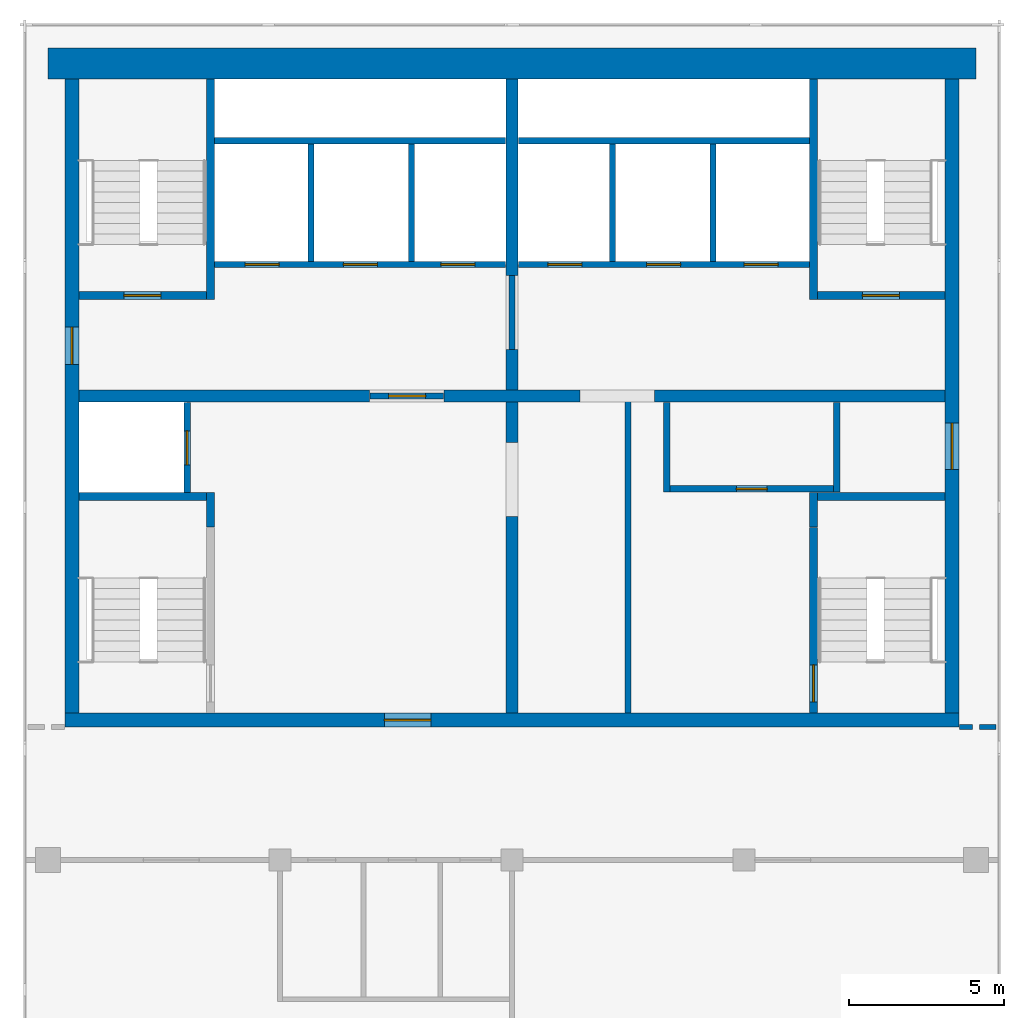
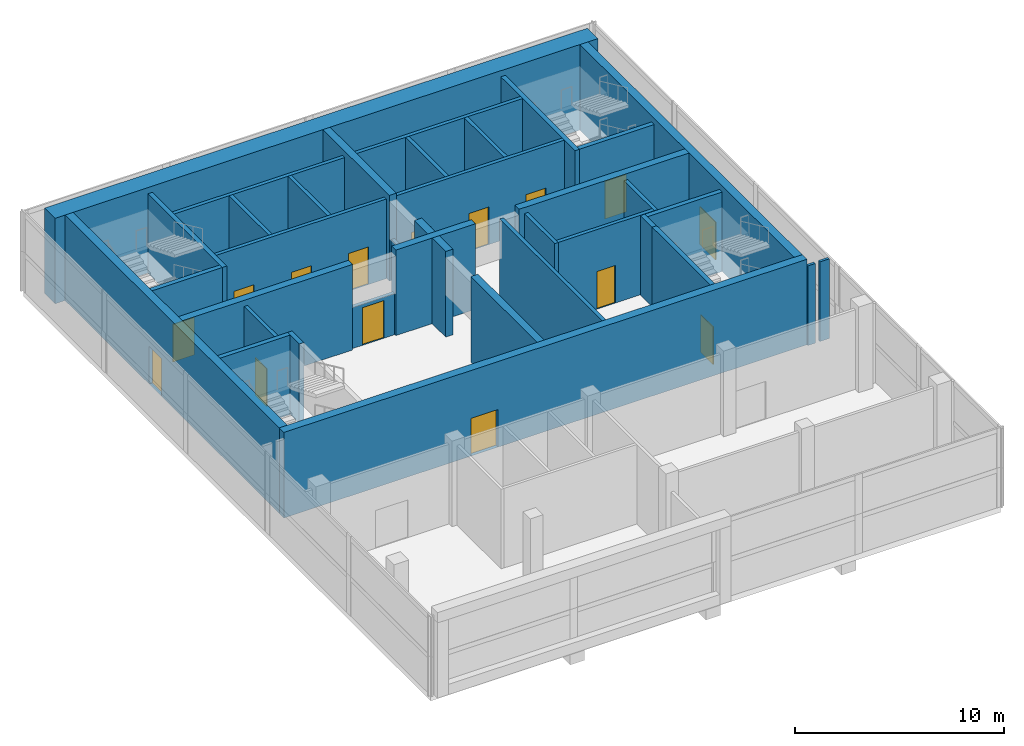
# One storey, part 4 of 6: 37 walls, 15 doors, 15 openings.
"""IFC4 building model written with IfcOpenShell, lengths in metres."""

from ifc_helpers import new_model, si_unit, direction, frame, frame_2d, origin, place, context, subcontext, project, spatial, rectangle, extrude, material, layer, layer_set, type_object, element, fill, save


model = new_model("IFC4")

# Units and contexts
model_context = context("Model", 3, precision=1e-05, world=origin(), true_north=direction((0.0, 1.0)))
body_context = subcontext(model_context, "Body", "Model", "MODEL_VIEW")
ifc_project = project(units=[si_unit("LENGTHUNIT", "METRE"), si_unit("AREAUNIT", "SQUARE_METRE"), si_unit("VOLUMEUNIT", "CUBIC_METRE"), si_unit("PLANEANGLEUNIT", "RADIAN"), si_unit("MASSUNIT", "GRAM", prefix="KILO")], contexts=[model_context])

# Site, building, storey
site_placement = place(None, origin())
site = spatial("IfcSite", under=ifc_project, at=site_placement, CompositionType="ELEMENT")
building_placement = place(site_placement, origin())
building = spatial("IfcBuilding", under=site, at=building_placement, Name="Pilkhan Gate Tower", CompositionType="ELEMENT")
storey_placement = place(building_placement, frame((0.0, 0.0, 287.699951171875)))
storey = spatial("IfcBuildingStorey", under=building, at=storey_placement, Name="L75", CompositionType="ELEMENT", Elevation=287.699951171875)

# Wall
ifc_material_1 = material(Name="Concrete C50/60", Category="concrete")
ifc_layer_1 = layer(ifc_material_1, 1.0)
ifc_layer_set_1 = layer_set([ifc_layer_1], Name="Core wall CW1000 C50/60")
wall_type_1 = type_object("IfcWallType", Name="Core wall CW1000 C50/60", PredefinedType="SHEAR", material=ifc_layer_set_1)
wall_1_placement = place(storey_placement, frame((90.0, 93.25, 0.0), z_axis=(0.0, 0.0, 1.0), x_axis=(-1.0, 0.0, 0.0)))
element("IfcWall", 1, at=wall_1_placement, inside=storey, type_object=wall_type_1, Name="Core wall N L75", PredefinedType="SHEAR", context=body_context, shape_type="SweptSolid", body=[
    extrude(rectangle(XDim=30.0, YDim=1.0, at=frame_2d((15.0, 0.0))), origin(), (0.0, 0.0, 1.0), 5.0),
])

# Wall, opening, door
ifc_layer_2 = layer(ifc_material_1, 0.449951171875)
ifc_layer_set_2 = layer_set([ifc_layer_2], Name="Core wall CW450 C50/60")
wall_type_2 = type_object("IfcWallType", Name="Core wall CW450 C50/60", PredefinedType="SHEAR", material=ifc_layer_set_2)
wall_2_placement = place(storey_placement, frame((60.550048828125, 72.02490234375, 0.0), z_axis=(0.0, 0.0, 1.0), x_axis=(1.0, 0.0, 0.0)))
wall_2 = element("IfcWall", 2, at=wall_2_placement, inside=storey, type_object=wall_type_2, Name="Core wall S L75", PredefinedType="SHEAR", context=body_context, shape_type="SweptSolid", body=[
    extrude(rectangle(XDim=28.89990234375, YDim=0.449951171875, at=frame_2d((14.449951171875, 0.0))), origin(), (0.0, 0.0, 1.0), 5.0),
])
opening_1_placement = place(wall_2_placement, frame((10.324951171875, 0.0, 0.0)))
opening_1 = element("IfcOpeningElement", 3, at=opening_1_placement, cuts=wall_2, Name="Opening L75-08", PredefinedType="OPENING", context=body_context, shape_type="SweptSolid", body=[
    extrude(rectangle(XDim=1.5, YDim=2.199951171875, at=frame_2d((0.75, 1.10009765625))), frame((0.0, 0.23486328125, 0.0), z_axis=(0.0, -1.0, 0.0), x_axis=(1.0, 0.0, 0.0)), (0.0, 0.0, 1.0), 0.469970703125),
])
ifc_material_2 = material(Name="Steel framed glazed door, 60 minute fire resisting", Category="steel")
door_type_1 = type_object("IfcDoorType", Name="Lobby door D09 1500x2200", OperationType="DOUBLE_DOOR_SINGLE_SWING", PredefinedType="DOOR", material=ifc_material_2)
door_1_placement = place(opening_1_placement, origin())
door_1 = element("IfcDoor", 4, at=door_1_placement, inside=storey, type_object=door_type_1, Name="Core door", OperationType="DOUBLE_DOOR_SINGLE_SWING", OverallHeight=2.199951171875, OverallWidth=1.5, PredefinedType="DOOR", context=body_context, shape_type="SweptSolid", body=[
    extrude(rectangle(XDim=1.5, YDim=2.199951171875, at=frame_2d((0.75, 1.10009765625))), frame((0.0, 0.02490234375, 0.0), z_axis=(0.0, -1.0, 0.0), x_axis=(1.0, 0.0, 0.0)), (0.0, 0.0, 1.0), 0.050048828125),
])
fill(opening_1, door_1)

wall_3_placement = place(storey_placement, frame((89.22509765625, 72.25, 0.0), z_axis=(0.0, 0.0, 1.0), x_axis=(0.0, 1.0, 0.0)))
wall_3 = element("IfcWall", 5, at=wall_3_placement, inside=storey, type_object=wall_type_2, Name="Core wall E L75", PredefinedType="SHEAR", context=body_context, shape_type="SweptSolid", body=[
    extrude(rectangle(XDim=20.5, YDim=0.449951171875, at=frame_2d((10.25, 0.0))), origin(), (0.0, 0.0, 1.0), 5.0),
])
opening_2_placement = place(wall_3_placement, frame((7.875, 0.0, 0.0)))
opening_2 = element("IfcOpeningElement", 6, at=opening_2_placement, cuts=wall_3, Name="Opening L75-09", PredefinedType="OPENING", context=body_context, shape_type="SweptSolid", body=[
    extrude(rectangle(XDim=1.5, YDim=2.199951171875, at=frame_2d((0.75, 1.10009765625))), frame((0.0, 0.23486328125, 0.0), z_axis=(0.0, -1.0, 0.0), x_axis=(1.0, 0.0, 0.0)), (0.0, 0.0, 1.0), 0.469970703125),
])
door_2_placement = place(opening_2_placement, origin())
door_2 = element("IfcDoor", 7, at=door_2_placement, inside=storey, type_object=door_type_1, Name="Core door", OperationType="DOUBLE_DOOR_SINGLE_SWING", OverallHeight=2.199951171875, OverallWidth=1.5, PredefinedType="DOOR", context=body_context, shape_type="SweptSolid", body=[
    extrude(rectangle(XDim=1.5, YDim=2.199951171875, at=frame_2d((0.75, 1.10009765625))), frame((0.0, 0.02490234375, 0.0), z_axis=(0.0, -1.0, 0.0), x_axis=(1.0, 0.0, 0.0)), (0.0, 0.0, 1.0), 0.050048828125),
])
fill(opening_2, door_2)

wall_4_placement = place(storey_placement, frame((60.77490234375, 92.75, 0.0), z_axis=(0.0, 0.0, 1.0), x_axis=(0.0, -1.0, 0.0)))
wall_4 = element("IfcWall", 8, at=wall_4_placement, inside=storey, type_object=wall_type_2, Name="Core wall W L75", PredefinedType="SHEAR", context=body_context, shape_type="SweptSolid", body=[
    extrude(rectangle(XDim=20.5, YDim=0.449951171875, at=frame_2d((10.25, 0.0))), origin(), (0.0, 0.0, 1.0), 5.0),
])
opening_3_placement = place(wall_4_placement, frame((8.02490234375, 0.0, 0.0)))
opening_3 = element("IfcOpeningElement", 9, at=opening_3_placement, cuts=wall_4, Name="Opening L75-11", PredefinedType="OPENING", context=body_context, shape_type="SweptSolid", body=[
    extrude(rectangle(XDim=1.199951171875, YDim=2.199951171875, at=frame_2d((0.60009765625, 1.10009765625))), frame((0.0, 0.23486328125, 0.0), z_axis=(0.0, -1.0, 0.0), x_axis=(1.0, 0.0, 0.0)), (0.0, 0.0, 1.0), 0.469970703125),
])
ifc_material_3 = material(Name="Steel door, 120 minute fire resisting, self-closing", Category="steel")
door_type_2 = type_object("IfcDoorType", Name="Firefighting lobby door D10 1200x2200", OperationType="SINGLE_SWING_LEFT", PredefinedType="DOOR", material=ifc_material_3)
door_3_placement = place(opening_3_placement, origin())
door_3 = element("IfcDoor", 10, at=door_3_placement, inside=storey, type_object=door_type_2, Name="Core door", OperationType="SINGLE_SWING_LEFT", OverallHeight=2.199951171875, OverallWidth=1.199951171875, PredefinedType="DOOR", context=body_context, shape_type="SweptSolid", body=[
    extrude(rectangle(XDim=1.199951171875, YDim=2.199951171875, at=frame_2d((0.60009765625, 1.10009765625))), frame((0.0, 0.02490234375, 0.0), z_axis=(0.0, -1.0, 0.0), x_axis=(1.0, 0.0, 0.0)), (0.0, 0.0, 1.0), 0.050048828125),
])
fill(opening_3, door_3)

ifc_material_4 = material(Name="Dense blockwork", Category="masonry")
ifc_layer_3 = layer(ifc_material_4, 0.199951171875)
ifc_layer_set_3 = layer_set([ifc_layer_3], Name="Lobby wall LW200")
wall_type_3 = type_object("IfcWallType", Name="Lobby wall LW200", PredefinedType="PARTITIONING", material=ifc_layer_set_3)
wall_5_placement = place(storey_placement, frame((80.10009765625, 79.5, 0.0), z_axis=(0.0, 0.0, 1.0), x_axis=(1.0, 0.0, 0.0)))
wall_5 = element("IfcWall", 11, at=wall_5_placement, inside=storey, type_object=wall_type_3, Name="Partition L75", PredefinedType="PARTITIONING", context=body_context, shape_type="SweptSolid", body=[
    extrude(rectangle(XDim=5.2998046875, YDim=0.199951171875, at=frame_2d((2.64990234375, 0.0))), origin(), (0.0, 0.0, 1.0), 4.650146484375),
])
opening_4_placement = place(wall_5_placement, frame((2.14990234375, 0.0, 0.0)))
opening_4 = element("IfcOpeningElement", 12, at=opening_4_placement, cuts=wall_5, Name="Opening L75-10", PredefinedType="OPENING", context=body_context, shape_type="SweptSolid", body=[
    extrude(rectangle(XDim=1.0, YDim=2.199951171875, at=frame_2d((0.5, 1.10009765625))), frame((0.0, 0.10986328125, 0.0), z_axis=(0.0, -1.0, 0.0), x_axis=(1.0, 0.0, 0.0)), (0.0, 0.0, 1.0), 0.219970703125),
])
ifc_material_5 = material(Name="Timber flush door, 30 minute fire resisting", Category="wood")
door_type_3 = type_object("IfcDoorType", Name="Room door D03 1000x2200", OperationType="SINGLE_SWING_LEFT", PredefinedType="DOOR", material=ifc_material_5)
door_4_placement = place(opening_4_placement, origin())
door_4 = element("IfcDoor", 13, at=door_4_placement, inside=storey, type_object=door_type_3, Name="Room door", OperationType="SINGLE_SWING_RIGHT", OverallHeight=2.199951171875, OverallWidth=1.0, PredefinedType="DOOR", context=body_context, shape_type="SweptSolid", body=[
    extrude(rectangle(XDim=1.0, YDim=2.199951171875, at=frame_2d((0.5, 1.10009765625))), frame((0.0, 0.02490234375, 0.0), z_axis=(0.0, -1.0, 0.0), x_axis=(1.0, 0.0, 0.0)), (0.0, 0.0, 1.0), 0.050048828125),
])
fill(opening_4, door_4)

wall_6_placement = place(storey_placement, frame((70.409912109375, 82.5, 0.0), z_axis=(0.0, 0.0, 1.0), x_axis=(1.0, 0.0, 0.0)))
wall_6 = element("IfcWall", 14, at=wall_6_placement, inside=storey, type_object=wall_type_3, Name="Partition L75", PredefinedType="PARTITIONING", context=body_context, shape_type="SweptSolid", body=[
    extrude(rectangle(XDim=2.380126953125, YDim=0.199951171875, at=frame_2d((1.18994140625, 0.0))), origin(), (0.0, 0.0, 1.0), 2.400146484375),
])
opening_5_placement = place(wall_6_placement, frame((0.60009765625, 0.0, 0.0)))
opening_5 = element("IfcOpeningElement", 15, at=opening_5_placement, cuts=wall_6, Name="Opening L75-01", PredefinedType="OPENING", context=body_context, shape_type="SweptSolid", body=[
    extrude(rectangle(XDim=1.199951171875, YDim=2.199951171875, at=frame_2d((0.60009765625, 1.10009765625))), frame((0.0, 0.10986328125, 0.0), z_axis=(0.0, -1.0, 0.0), x_axis=(1.0, 0.0, 0.0)), (0.0, 0.0, 1.0), 0.219970703125),
])
door_5_placement = place(opening_5_placement, origin())
door_5 = element("IfcDoor", 16, at=door_5_placement, inside=storey, type_object=door_type_2, Name="Firefighting lobby door", OperationType="SINGLE_SWING_RIGHT", OverallHeight=2.199951171875, OverallWidth=1.199951171875, PredefinedType="DOOR", context=body_context, shape_type="SweptSolid", body=[
    extrude(rectangle(XDim=1.199951171875, YDim=2.199951171875, at=frame_2d((0.60009765625, 1.10009765625))), frame((0.0, 0.02490234375, 0.0), z_axis=(0.0, -1.0, 0.0), x_axis=(1.0, 0.0, 0.0)), (0.0, 0.0, 1.0), 0.050048828125),
])
fill(opening_5, door_5)

# Walls
wall_7_placement = place(storey_placement, frame((75.0, 84.010009765625, 0.0), z_axis=(0.0, 0.0, 1.0), x_axis=(0.0, 1.0, 0.0)))
element("IfcWall", 17, at=wall_7_placement, inside=storey, type_object=wall_type_3, Name="Partition L75", PredefinedType="PARTITIONING", context=body_context, shape_type="SweptSolid", body=[
    extrude(rectangle(XDim=2.3798828125, YDim=0.199951171875, at=frame_2d((1.18994140625, 0.0))), origin(), (0.0, 0.0, 1.0), 2.400146484375),
])
wall_8_placement = place(storey_placement, frame((78.75, 72.260009765625, 0.0), z_axis=(0.0, 0.0, 1.0), x_axis=(0.0, 1.0, 0.0)))
element("IfcWall", 18, at=wall_8_placement, inside=storey, type_object=wall_type_3, Name="Partition L75", PredefinedType="PARTITIONING", context=body_context, shape_type="SweptSolid", body=[
    extrude(rectangle(XDim=10.239990234375, YDim=0.199951171875, at=frame_2d((5.1201171875, 0.0))), origin(), (0.0, 0.0, 1.0), 4.650146484375),
])
for number, where, z_axis, x_axis, name in (
    (19, (80.0, 79.39990234375, 0.0), (0.0, 0.0, 1.0), (0.0, 1.0, 0.0), "Partition L75"),
    (20, (85.5, 79.39990234375, 0.0), (0.0, 0.0, 1.0), (0.0, 1.0, 0.0), "Partition L75"),
):
    element("IfcWall", number, at=place(storey_placement, frame(where, z_axis=z_axis, x_axis=x_axis)), inside=storey, type_object=wall_type_3, Name=name, PredefinedType="PARTITIONING", context=body_context, shape_type="SweptSolid", body=[
        extrude(rectangle(XDim=2.89013671875, YDim=0.199951171875, at=frame_2d((1.445068359375, 0.0))), origin(), (0.0, 0.0, 1.0), 4.650146484375),
    ])
ifc_material_6 = material(Name="Blockwork partition, plastered both sides", Category="masonry")
ifc_layer_4 = layer(ifc_material_6, 0.14990234375)
ifc_layer_set_4 = layer_set([ifc_layer_4], Name="Partition PW150")
wall_type_4 = type_object("IfcWallType", Name="Partition PW150", PredefinedType="PARTITIONING", material=ifc_layer_set_4)
wall_9_placement = place(storey_placement, frame((89.4599609375, 71.800048828125, 0.0), z_axis=(0.0, 0.0, 1.0), x_axis=(1.0, 0.0, 0.0)))
element("IfcWall", 21, at=wall_9_placement, inside=storey, type_object=wall_type_4, Name="Partition L75", PredefinedType="PARTITIONING", context=body_context, shape_type="SweptSolid", body=[
    extrude(rectangle(XDim=0.419921875, YDim=0.14990234375, at=frame_2d((0.2099609375, 0.0))), origin(), (0.0, 0.0, 1.0), 4.650146484375),
])
wall_10_placement = place(storey_placement, frame((90.1201171875, 71.800048828125, 0.0), z_axis=(0.0, 0.0, 1.0), x_axis=(1.0, 0.0, 0.0)))
element("IfcWall", 22, at=wall_10_placement, inside=storey, type_object=wall_type_4, Name="Partition L75", PredefinedType="PARTITIONING", context=body_context, shape_type="SweptSolid", body=[
    extrude(rectangle(XDim=0.52490234375, YDim=0.14990234375, at=frame_2d((0.262451171875, 0.0))), origin(), (0.0, 0.0, 1.0), 4.650146484375),
])

# Wall, openings, doors
ifc_material_7 = material(Name="Reinforced blockwork shaft wall, 120 minute fire resisting", Category="masonry")
ifc_layer_5 = layer(ifc_material_7, 0.199951171875)
ifc_layer_set_5 = layer_set([ifc_layer_5], Name="Shaft wall SW200")
wall_type_5 = type_object("IfcWallType", Name="Shaft wall SW200", PredefinedType="PARTITIONING", material=ifc_layer_set_5)
wall_11_placement = place(storey_placement, frame((65.375, 86.75, 0.0), z_axis=(0.0, 0.0, 1.0), x_axis=(1.0, 0.0, 0.0)))
wall_11 = element("IfcWall", 23, at=wall_11_placement, inside=storey, type_object=wall_type_5, Name="Partition L75", PredefinedType="PARTITIONING", context=body_context, shape_type="SweptSolid", body=[
    extrude(rectangle(XDim=9.4150390625, YDim=0.199951171875, at=frame_2d((4.70751953125, 0.0))), origin(), (0.0, 0.0, 1.0), 4.650146484375),
])
opening_6_placement = place(wall_11_placement, frame((1.0, 0.0, 0.0)))
opening_6 = element("IfcOpeningElement", 24, at=opening_6_placement, cuts=wall_11, Name="Opening LD", PredefinedType="OPENING", context=body_context, shape_type="SweptSolid", body=[
    extrude(rectangle(XDim=1.10009765625, YDim=2.199951171875, at=frame_2d((0.550048828125, 1.10009765625))), frame((0.0, 0.10986328125, 0.0), z_axis=(0.0, -1.0, 0.0), x_axis=(1.0, 0.0, 0.0)), (0.0, 0.0, 1.0), 0.219970703125),
])
opening_7_placement = place(wall_11_placement, frame((4.175048828125, 0.0, 0.0)))
opening_7 = element("IfcOpeningElement", 25, at=opening_7_placement, cuts=wall_11, Name="Opening LD", PredefinedType="OPENING", context=body_context, shape_type="SweptSolid", body=[
    extrude(rectangle(XDim=1.10009765625, YDim=2.199951171875, at=frame_2d((0.550048828125, 1.10009765625))), frame((0.0, 0.10986328125, 0.0), z_axis=(0.0, -1.0, 0.0), x_axis=(1.0, 0.0, 0.0)), (0.0, 0.0, 1.0), 0.219970703125),
])
opening_8_placement = place(wall_11_placement, frame((7.324951171875, 0.0, 0.0)))
opening_8 = element("IfcOpeningElement", 26, at=opening_8_placement, cuts=wall_11, Name="Opening LD", PredefinedType="OPENING", context=body_context, shape_type="SweptSolid", body=[
    extrude(rectangle(XDim=1.10009765625, YDim=2.199951171875, at=frame_2d((0.550048828125, 1.10009765625))), frame((0.0, 0.10986328125, 0.0), z_axis=(0.0, -1.0, 0.0), x_axis=(1.0, 0.0, 0.0)), (0.0, 0.0, 1.0), 0.219970703125),
])
ifc_material_8 = material(Name="Stainless steel centre-opening landing door, 120 minute fire resisting", Category="steel")
door_type_4 = type_object("IfcDoorType", Name="Lift landing door LD 1100x2200", OperationType="DOUBLE_DOOR_SLIDING", PredefinedType="DOOR", material=ifc_material_8)
door_6_placement = place(opening_6_placement, origin())
door_6 = element("IfcDoor", 27, at=door_6_placement, inside=storey, type_object=door_type_4, Name="Landing door FF1", OperationType="DOUBLE_DOOR_SLIDING", OverallHeight=2.199951171875, OverallWidth=1.10009765625, PredefinedType="DOOR", context=body_context, shape_type="SweptSolid", body=[
    extrude(rectangle(XDim=1.10009765625, YDim=2.199951171875, at=frame_2d((0.550048828125, 1.10009765625))), frame((0.0, 0.02490234375, 0.0), z_axis=(0.0, -1.0, 0.0), x_axis=(1.0, 0.0, 0.0)), (0.0, 0.0, 1.0), 0.050048828125),
])
fill(opening_6, door_6)
door_7_placement = place(opening_7_placement, origin())
door_7 = element("IfcDoor", 28, at=door_7_placement, inside=storey, type_object=door_type_4, Name="Landing door FF2", OperationType="DOUBLE_DOOR_SLIDING", OverallHeight=2.199951171875, OverallWidth=1.10009765625, PredefinedType="DOOR", context=body_context, shape_type="SweptSolid", body=[
    extrude(rectangle(XDim=1.10009765625, YDim=2.199951171875, at=frame_2d((0.550048828125, 1.10009765625))), frame((0.0, 0.02490234375, 0.0), z_axis=(0.0, -1.0, 0.0), x_axis=(1.0, 0.0, 0.0)), (0.0, 0.0, 1.0), 0.050048828125),
])
fill(opening_7, door_7)
door_8_placement = place(opening_8_placement, origin())
door_8 = element("IfcDoor", 29, at=door_8_placement, inside=storey, type_object=door_type_4, Name="Landing door SV1", OperationType="DOUBLE_DOOR_SLIDING", OverallHeight=2.199951171875, OverallWidth=1.10009765625, PredefinedType="DOOR", context=body_context, shape_type="SweptSolid", body=[
    extrude(rectangle(XDim=1.10009765625, YDim=2.199951171875, at=frame_2d((0.550048828125, 1.10009765625))), frame((0.0, 0.02490234375, 0.0), z_axis=(0.0, -1.0, 0.0), x_axis=(1.0, 0.0, 0.0)), (0.0, 0.0, 1.0), 0.050048828125),
])
fill(opening_8, door_8)

wall_12_placement = place(storey_placement, frame((75.2099609375, 86.75, 0.0), z_axis=(0.0, 0.0, 1.0), x_axis=(1.0, 0.0, 0.0)))
wall_12 = element("IfcWall", 30, at=wall_12_placement, inside=storey, type_object=wall_type_5, Name="Partition L75", PredefinedType="PARTITIONING", context=body_context, shape_type="SweptSolid", body=[
    extrude(rectangle(XDim=9.4150390625, YDim=0.199951171875, at=frame_2d((4.70751953125, 0.0))), origin(), (0.0, 0.0, 1.0), 4.650146484375),
])
opening_9_placement = place(wall_12_placement, frame((0.949951171875, 0.0, 0.0)))
opening_9 = element("IfcOpeningElement", 31, at=opening_9_placement, cuts=wall_12, Name="Opening LD", PredefinedType="OPENING", context=body_context, shape_type="SweptSolid", body=[
    extrude(rectangle(XDim=1.10009765625, YDim=2.199951171875, at=frame_2d((0.550048828125, 1.10009765625))), frame((0.0, 0.10986328125, 0.0), z_axis=(0.0, -1.0, 0.0), x_axis=(1.0, 0.0, 0.0)), (0.0, 0.0, 1.0), 0.219970703125),
])
opening_10_placement = place(wall_12_placement, frame((4.139892578125, 0.0, 0.0)))
opening_10 = element("IfcOpeningElement", 32, at=opening_10_placement, cuts=wall_12, Name="Opening LD", PredefinedType="OPENING", context=body_context, shape_type="SweptSolid", body=[
    extrude(rectangle(XDim=1.10009765625, YDim=2.199951171875, at=frame_2d((0.550048828125, 1.10009765625))), frame((0.0, 0.10986328125, 0.0), z_axis=(0.0, -1.0, 0.0), x_axis=(1.0, 0.0, 0.0)), (0.0, 0.0, 1.0), 0.219970703125),
])
opening_11_placement = place(wall_12_placement, frame((7.2900390625, 0.0, 0.0)))
opening_11 = element("IfcOpeningElement", 33, at=opening_11_placement, cuts=wall_12, Name="Opening LD", PredefinedType="OPENING", context=body_context, shape_type="SweptSolid", body=[
    extrude(rectangle(XDim=1.10009765625, YDim=2.199951171875, at=frame_2d((0.550048828125, 1.10009765625))), frame((0.0, 0.10986328125, 0.0), z_axis=(0.0, -1.0, 0.0), x_axis=(1.0, 0.0, 0.0)), (0.0, 0.0, 1.0), 0.219970703125),
])
door_9_placement = place(opening_9_placement, origin())
door_9 = element("IfcDoor", 34, at=door_9_placement, inside=storey, type_object=door_type_4, Name="Landing door HR1", OperationType="DOUBLE_DOOR_SLIDING", OverallHeight=2.199951171875, OverallWidth=1.10009765625, PredefinedType="DOOR", context=body_context, shape_type="SweptSolid", body=[
    extrude(rectangle(XDim=1.10009765625, YDim=2.199951171875, at=frame_2d((0.550048828125, 1.10009765625))), frame((0.0, 0.02490234375, 0.0), z_axis=(0.0, -1.0, 0.0), x_axis=(1.0, 0.0, 0.0)), (0.0, 0.0, 1.0), 0.050048828125),
])
fill(opening_9, door_9)
door_10_placement = place(opening_10_placement, origin())
door_10 = element("IfcDoor", 35, at=door_10_placement, inside=storey, type_object=door_type_4, Name="Landing door HR2", OperationType="DOUBLE_DOOR_SLIDING", OverallHeight=2.199951171875, OverallWidth=1.10009765625, PredefinedType="DOOR", context=body_context, shape_type="SweptSolid", body=[
    extrude(rectangle(XDim=1.10009765625, YDim=2.199951171875, at=frame_2d((0.550048828125, 1.10009765625))), frame((0.0, 0.02490234375, 0.0), z_axis=(0.0, -1.0, 0.0), x_axis=(1.0, 0.0, 0.0)), (0.0, 0.0, 1.0), 0.050048828125),
])
fill(opening_10, door_10)
door_11_placement = place(opening_11_placement, origin())
door_11 = element("IfcDoor", 36, at=door_11_placement, inside=storey, type_object=door_type_4, Name="Landing door HR3", OperationType="DOUBLE_DOOR_SLIDING", OverallHeight=2.199951171875, OverallWidth=1.10009765625, PredefinedType="DOOR", context=body_context, shape_type="SweptSolid", body=[
    extrude(rectangle(XDim=1.10009765625, YDim=2.199951171875, at=frame_2d((0.550048828125, 1.10009765625))), frame((0.0, 0.02490234375, 0.0), z_axis=(0.0, -1.0, 0.0), x_axis=(1.0, 0.0, 0.0)), (0.0, 0.0, 1.0), 0.050048828125),
])
fill(opening_11, door_11)

# Walls
for number, where, z_axis, x_axis, name in (
    (37, (65.375, 90.75, 0.0), (0.0, 0.0, 1.0), (1.0, 0.0, 0.0), "Partition L75"),
    (38, (75.2099609375, 90.75, 0.0), (0.0, 0.0, 1.0), (1.0, 0.0, 0.0), "Partition L75"),
):
    element("IfcWall", number, at=place(storey_placement, frame(where, z_axis=z_axis, x_axis=x_axis)), inside=storey, type_object=wall_type_5, Name=name, PredefinedType="PARTITIONING", context=body_context, shape_type="SweptSolid", body=[
        extrude(rectangle(XDim=9.4150390625, YDim=0.199951171875, at=frame_2d((4.70751953125, 0.0))), origin(), (0.0, 0.0, 1.0), 4.650146484375),
    ])

# Wall, opening, door
wall_13_placement = place(storey_placement, frame((64.5, 79.375, 0.0), z_axis=(0.0, 0.0, 1.0), x_axis=(0.0, 1.0, 0.0)))
wall_13 = element("IfcWall", 39, at=wall_13_placement, inside=storey, type_object=wall_type_5, Name="Partition L75", PredefinedType="PARTITIONING", context=body_context, shape_type="SweptSolid", body=[
    extrude(rectangle(XDim=2.9150390625, YDim=0.199951171875, at=frame_2d((1.45751953125, 0.0))), origin(), (0.0, 0.0, 1.0), 4.650146484375),
])
opening_12_placement = place(wall_13_placement, frame((0.89990234375, 0.0, 0.0)))
opening_12 = element("IfcOpeningElement", 40, at=opening_12_placement, cuts=wall_13, Name="Opening LD", PredefinedType="OPENING", context=body_context, shape_type="SweptSolid", body=[
    extrude(rectangle(XDim=1.10009765625, YDim=2.199951171875, at=frame_2d((0.550048828125, 1.10009765625))), frame((0.0, 0.10986328125, 0.0), z_axis=(0.0, -1.0, 0.0), x_axis=(1.0, 0.0, 0.0)), (0.0, 0.0, 1.0), 0.219970703125),
])
door_12_placement = place(opening_12_placement, origin())
door_12 = element("IfcDoor", 41, at=door_12_placement, inside=storey, type_object=door_type_4, Name="Landing door OB1", OperationType="DOUBLE_DOOR_SLIDING", OverallHeight=2.199951171875, OverallWidth=1.10009765625, PredefinedType="DOOR", context=body_context, shape_type="SweptSolid", body=[
    extrude(rectangle(XDim=1.10009765625, YDim=2.199951171875, at=frame_2d((0.550048828125, 1.10009765625))), frame((0.0, 0.02490234375, 0.0), z_axis=(0.0, -1.0, 0.0), x_axis=(1.0, 0.0, 0.0)), (0.0, 0.0, 1.0), 0.050048828125),
])
fill(opening_12, door_12)

# Walls
for number, where, z_axis, x_axis, name in (
    (42, (68.5, 86.85009765625, 0.0), (0.0, 0.0, 1.0), (0.0, 1.0, 0.0), "Partition L75"),
    (43, (71.75, 86.85009765625, 0.0), (0.0, 0.0, 1.0), (0.0, 1.0, 0.0), "Partition L75"),
    (44, (78.25, 86.85009765625, 0.0), (0.0, 0.0, 1.0), (0.0, 1.0, 0.0), "Partition L75"),
    (45, (81.5, 86.85009765625, 0.0), (0.0, 0.0, 1.0), (0.0, 1.0, 0.0), "Partition L75"),
):
    element("IfcWall", number, at=place(storey_placement, frame(where, z_axis=z_axis, x_axis=x_axis)), inside=storey, type_object=wall_type_5, Name=name, PredefinedType="PARTITIONING", context=body_context, shape_type="SweptSolid", body=[
        extrude(rectangle(XDim=3.7998046875, YDim=0.199951171875, at=frame_2d((1.89990234375, 0.0))), origin(), (0.0, 0.0, 1.0), 4.650146484375),
    ])
ifc_layer_6 = layer(ifc_material_1, 0.39990234375)
ifc_layer_set_6 = layer_set([ifc_layer_6], Name="Spine wall SW400 C50/60")
wall_type_6 = type_object("IfcWallType", Name="Spine wall SW400 C50/60", PredefinedType="SHEAR", material=ifc_layer_set_6)
wall_14_placement = place(storey_placement, frame((61.0, 82.5, 0.0), z_axis=(0.0, 0.0, 1.0), x_axis=(1.0, 0.0, 0.0)))
element("IfcWall", 46, at=wall_14_placement, inside=storey, type_object=wall_type_6, Name="Spine wall SP-EW1 L75", PredefinedType="SHEAR", context=body_context, shape_type="SweptSolid", body=[
    extrude(rectangle(XDim=9.39990234375, YDim=0.39990234375, at=frame_2d((4.699951171875, 0.0))), origin(), (0.0, 0.0, 1.0), 5.0),
])
wall_15_placement = place(storey_placement, frame((72.800048828125, 82.5, 0.0), z_axis=(0.0, 0.0, 1.0), x_axis=(1.0, 0.0, 0.0)))
element("IfcWall", 47, at=wall_15_placement, inside=storey, type_object=wall_type_6, Name="Spine wall SP-EW2 L75", PredefinedType="SHEAR", context=body_context, shape_type="SweptSolid", body=[
    extrude(rectangle(XDim=4.39990234375, YDim=0.39990234375, at=frame_2d((2.199951171875, 0.0))), origin(), (0.0, 0.0, 1.0), 5.0),
])
wall_16_placement = place(storey_placement, frame((79.60009765625, 82.5, 0.0), z_axis=(0.0, 0.0, 1.0), x_axis=(1.0, 0.0, 0.0)))
element("IfcWall", 48, at=wall_16_placement, inside=storey, type_object=wall_type_6, Name="Spine wall SP-EW3 L75", PredefinedType="SHEAR", context=body_context, shape_type="SweptSolid", body=[
    extrude(rectangle(XDim=9.39990234375, YDim=0.39990234375, at=frame_2d((4.699951171875, 0.0))), origin(), (0.0, 0.0, 1.0), 5.0),
])
wall_17_placement = place(storey_placement, frame((75.0, 72.25, 0.0), z_axis=(0.0, 0.0, 1.0), x_axis=(0.0, 1.0, 0.0)))
element("IfcWall", 49, at=wall_17_placement, inside=storey, type_object=wall_type_6, Name="Spine wall SP-NS-S1 L75", PredefinedType="SHEAR", context=body_context, shape_type="SweptSolid", body=[
    extrude(rectangle(XDim=6.35009765625, YDim=0.39990234375, at=frame_2d((3.175048828125, 0.0))), origin(), (0.0, 0.0, 1.0), 5.0),
])
for number, where, z_axis, x_axis, name in (
    (50, (75.0, 81.0, 0.0), (0.0, 0.0, 1.0), (0.0, 1.0, 0.0), "Spine wall SP-NS-S2 L75"),
    (51, (75.0, 82.699951171875, 0.0), (0.0, 0.0, 1.0), (0.0, 1.0, 0.0), "Spine wall SP-NS-N1 L75"),
):
    element("IfcWall", number, at=place(storey_placement, frame(where, z_axis=z_axis, x_axis=x_axis)), inside=storey, type_object=wall_type_6, Name=name, PredefinedType="SHEAR", context=body_context, shape_type="SweptSolid", body=[
        extrude(rectangle(XDim=1.300048828125, YDim=0.39990234375, at=frame_2d((0.64990234375, 0.0))), origin(), (0.0, 0.0, 1.0), 5.0),
    ])
wall_18_placement = place(storey_placement, frame((75.0, 86.39990234375, 0.0), z_axis=(0.0, 0.0, 1.0), x_axis=(0.0, 1.0, 0.0)))
element("IfcWall", 52, at=wall_18_placement, inside=storey, type_object=wall_type_6, Name="Spine wall SP-NS-N2 L75", PredefinedType="SHEAR", context=body_context, shape_type="SweptSolid", body=[
    extrude(rectangle(XDim=6.35009765625, YDim=0.39990234375, at=frame_2d((3.175048828125, 0.0))), origin(), (0.0, 0.0, 1.0), 5.0),
])
ifc_material_9 = material(Name="Reinforced blockwork, 120 minute fire resisting", Category="masonry")
ifc_layer_7 = layer(ifc_material_9, 0.25)
ifc_layer_set_7 = layer_set([ifc_layer_7], Name="Stair enclosure wall SE250")
wall_type_7 = type_object("IfcWallType", Name="Stair enclosure wall SE250", PredefinedType="PARTITIONING", material=ifc_layer_set_7)
wall_19_placement = place(storey_placement, frame((61.0, 79.25, 0.0), z_axis=(0.0, 0.0, 1.0), x_axis=(1.0, 0.0, 0.0)))
element("IfcWall", 53, at=wall_19_placement, inside=storey, type_object=wall_type_7, Name="Partition L75", PredefinedType="PARTITIONING", context=body_context, shape_type="SweptSolid", body=[
    extrude(rectangle(XDim=4.125, YDim=0.25, at=frame_2d((2.0625, 0.0))), origin(), (0.0, 0.0, 1.0), 4.650146484375),
])
wall_20_placement = place(storey_placement, frame((84.875, 79.25, 0.0), z_axis=(0.0, 0.0, 1.0), x_axis=(1.0, 0.0, 0.0)))
element("IfcWall", 54, at=wall_20_placement, inside=storey, type_object=wall_type_7, Name="Partition L75", PredefinedType="PARTITIONING", context=body_context, shape_type="SweptSolid", body=[
    extrude(rectangle(XDim=4.114990234375, YDim=0.25, at=frame_2d((2.0576171875, 0.0))), origin(), (0.0, 0.0, 1.0), 4.650146484375),
])

# Wall, opening, door
wall_21_placement = place(storey_placement, frame((61.0, 85.75, 0.0), z_axis=(0.0, 0.0, 1.0), x_axis=(1.0, 0.0, 0.0)))
wall_21 = element("IfcWall", 55, at=wall_21_placement, inside=storey, type_object=wall_type_7, Name="Partition L75", PredefinedType="PARTITIONING", context=body_context, shape_type="SweptSolid", body=[
    extrude(rectangle(XDim=4.125, YDim=0.25, at=frame_2d((2.0625, 0.0))), origin(), (0.0, 0.0, 1.0), 4.650146484375),
])
opening_13_placement = place(wall_21_placement, frame((1.449951171875, 0.0, 0.0)))
opening_13 = element("IfcOpeningElement", 56, at=opening_13_placement, cuts=wall_21, Name="Opening L75-02", PredefinedType="OPENING", context=body_context, shape_type="SweptSolid", body=[
    extrude(rectangle(XDim=1.199951171875, YDim=2.199951171875, at=frame_2d((0.60009765625, 1.10009765625))), frame((0.0, 0.135009765625, 0.0), z_axis=(0.0, -1.0, 0.0), x_axis=(1.0, 0.0, 0.0)), (0.0, 0.0, 1.0), 0.27001953125),
])
ifc_material_10 = material(Name="Steel door, 120 minute fire resisting, panic bar", Category="steel")
door_type_5 = type_object("IfcDoorType", Name="Stair door D11 1200x2200", OperationType="SINGLE_SWING_LEFT", PredefinedType="DOOR", material=ifc_material_10)
door_13_placement = place(opening_13_placement, origin())
door_13 = element("IfcDoor", 57, at=door_13_placement, inside=storey, type_object=door_type_5, Name="Stair ST3 lobby door", OperationType="SINGLE_SWING_LEFT", OverallHeight=2.199951171875, OverallWidth=1.199951171875, PredefinedType="DOOR", context=body_context, shape_type="SweptSolid", body=[
    extrude(rectangle(XDim=1.199951171875, YDim=2.199951171875, at=frame_2d((0.60009765625, 1.10009765625))), frame((0.0, 0.02490234375, 0.0), z_axis=(0.0, -1.0, 0.0), x_axis=(1.0, 0.0, 0.0)), (0.0, 0.0, 1.0), 0.050048828125),
])
fill(opening_13, door_13)

wall_22_placement = place(storey_placement, frame((84.875, 85.75, 0.0), z_axis=(0.0, 0.0, 1.0), x_axis=(1.0, 0.0, 0.0)))
wall_22 = element("IfcWall", 58, at=wall_22_placement, inside=storey, type_object=wall_type_7, Name="Partition L75", PredefinedType="PARTITIONING", context=body_context, shape_type="SweptSolid", body=[
    extrude(rectangle(XDim=4.114990234375, YDim=0.25, at=frame_2d((2.0576171875, 0.0))), origin(), (0.0, 0.0, 1.0), 4.650146484375),
])
opening_14_placement = place(wall_22_placement, frame((1.449951171875, 0.0, 0.0)))
opening_14 = element("IfcOpeningElement", 59, at=opening_14_placement, cuts=wall_22, Name="Opening L75-03", PredefinedType="OPENING", context=body_context, shape_type="SweptSolid", body=[
    extrude(rectangle(XDim=1.199951171875, YDim=2.199951171875, at=frame_2d((0.60009765625, 1.10009765625))), frame((0.0, 0.135009765625, 0.0), z_axis=(0.0, -1.0, 0.0), x_axis=(1.0, 0.0, 0.0)), (0.0, 0.0, 1.0), 0.27001953125),
])
door_14_placement = place(opening_14_placement, origin())
door_14 = element("IfcDoor", 60, at=door_14_placement, inside=storey, type_object=door_type_5, Name="Stair ST4 lobby door", OperationType="SINGLE_SWING_RIGHT", OverallHeight=2.199951171875, OverallWidth=1.199951171875, PredefinedType="DOOR", context=body_context, shape_type="SweptSolid", body=[
    extrude(rectangle(XDim=1.199951171875, YDim=2.199951171875, at=frame_2d((0.60009765625, 1.10009765625))), frame((0.0, 0.02490234375, 0.0), z_axis=(0.0, -1.0, 0.0), x_axis=(1.0, 0.0, 0.0)), (0.0, 0.0, 1.0), 0.050048828125),
])
fill(opening_14, door_14)

# Walls
wall_23_placement = place(storey_placement, frame((65.25, 78.260009765625, 0.0), z_axis=(0.0, 0.0, 1.0), x_axis=(0.0, 1.0, 0.0)))
element("IfcWall", 61, at=wall_23_placement, inside=storey, type_object=wall_type_7, Name="Partition L75", PredefinedType="PARTITIONING", context=body_context, shape_type="SweptSolid", body=[
    extrude(rectangle(XDim=1.114990234375, YDim=0.25, at=frame_2d((0.5576171875, 0.0))), origin(), (0.0, 0.0, 1.0), 4.650146484375),
])
wall_24_placement = place(storey_placement, frame((65.25, 85.625, 0.0), z_axis=(0.0, 0.0, 1.0), x_axis=(0.0, 1.0, 0.0)))
element("IfcWall", 62, at=wall_24_placement, inside=storey, type_object=wall_type_7, Name="Partition L75", PredefinedType="PARTITIONING", context=body_context, shape_type="SweptSolid", body=[
    extrude(rectangle(XDim=7.114990234375, YDim=0.25, at=frame_2d((3.5576171875, 0.0))), origin(), (0.0, 0.0, 1.0), 4.650146484375),
])

# Wall, opening, door
wall_25_placement = place(storey_placement, frame((84.75, 72.260009765625, 0.0), z_axis=(0.0, 0.0, 1.0), x_axis=(0.0, 1.0, 0.0)))
wall_25 = element("IfcWall", 63, at=wall_25_placement, inside=storey, type_object=wall_type_7, Name="Partition L75", PredefinedType="PARTITIONING", context=body_context, shape_type="SweptSolid", body=[
    extrude(rectangle(XDim=5.989990234375, YDim=0.25, at=frame_2d((2.9951171875, 0.0))), origin(), (0.0, 0.0, 1.0), 4.650146484375),
])
opening_15_placement = place(wall_25_placement, frame((0.35009765625, 0.0, 0.0)))
opening_15 = element("IfcOpeningElement", 64, at=opening_15_placement, cuts=wall_25, Name="Opening L75-05", PredefinedType="OPENING", context=body_context, shape_type="SweptSolid", body=[
    extrude(rectangle(XDim=1.199951171875, YDim=2.199951171875, at=frame_2d((0.60009765625, 1.10009765625))), frame((0.0, 0.135009765625, 0.0), z_axis=(0.0, -1.0, 0.0), x_axis=(1.0, 0.0, 0.0)), (0.0, 0.0, 1.0), 0.27001953125),
])
door_15_placement = place(opening_15_placement, origin())
door_15 = element("IfcDoor", 65, at=door_15_placement, inside=storey, type_object=door_type_5, Name="Stair ST1 lobby door", OperationType="SINGLE_SWING_LEFT", OverallHeight=2.199951171875, OverallWidth=1.199951171875, PredefinedType="DOOR", context=body_context, shape_type="SweptSolid", body=[
    extrude(rectangle(XDim=1.199951171875, YDim=2.199951171875, at=frame_2d((0.60009765625, 1.10009765625))), frame((0.0, 0.02490234375, 0.0), z_axis=(0.0, -1.0, 0.0), x_axis=(1.0, 0.0, 0.0)), (0.0, 0.0, 1.0), 0.050048828125),
])
fill(opening_15, door_15)

# Walls
wall_26_placement = place(storey_placement, frame((84.75, 78.260009765625, 0.0), z_axis=(0.0, 0.0, 1.0), x_axis=(0.0, 1.0, 0.0)))
element("IfcWall", 66, at=wall_26_placement, inside=storey, type_object=wall_type_7, Name="Partition L75", PredefinedType="PARTITIONING", context=body_context, shape_type="SweptSolid", body=[
    extrude(rectangle(XDim=1.114990234375, YDim=0.25, at=frame_2d((0.5576171875, 0.0))), origin(), (0.0, 0.0, 1.0), 4.650146484375),
])
wall_27_placement = place(storey_placement, frame((84.75, 85.625, 0.0), z_axis=(0.0, 0.0, 1.0), x_axis=(0.0, 1.0, 0.0)))
element("IfcWall", 67, at=wall_27_placement, inside=storey, type_object=wall_type_7, Name="Partition L75", PredefinedType="PARTITIONING", context=body_context, shape_type="SweptSolid", body=[
    extrude(rectangle(XDim=7.114990234375, YDim=0.25, at=frame_2d((3.5576171875, 0.0))), origin(), (0.0, 0.0, 1.0), 4.650146484375),
])

save(model, "model.ifc")
